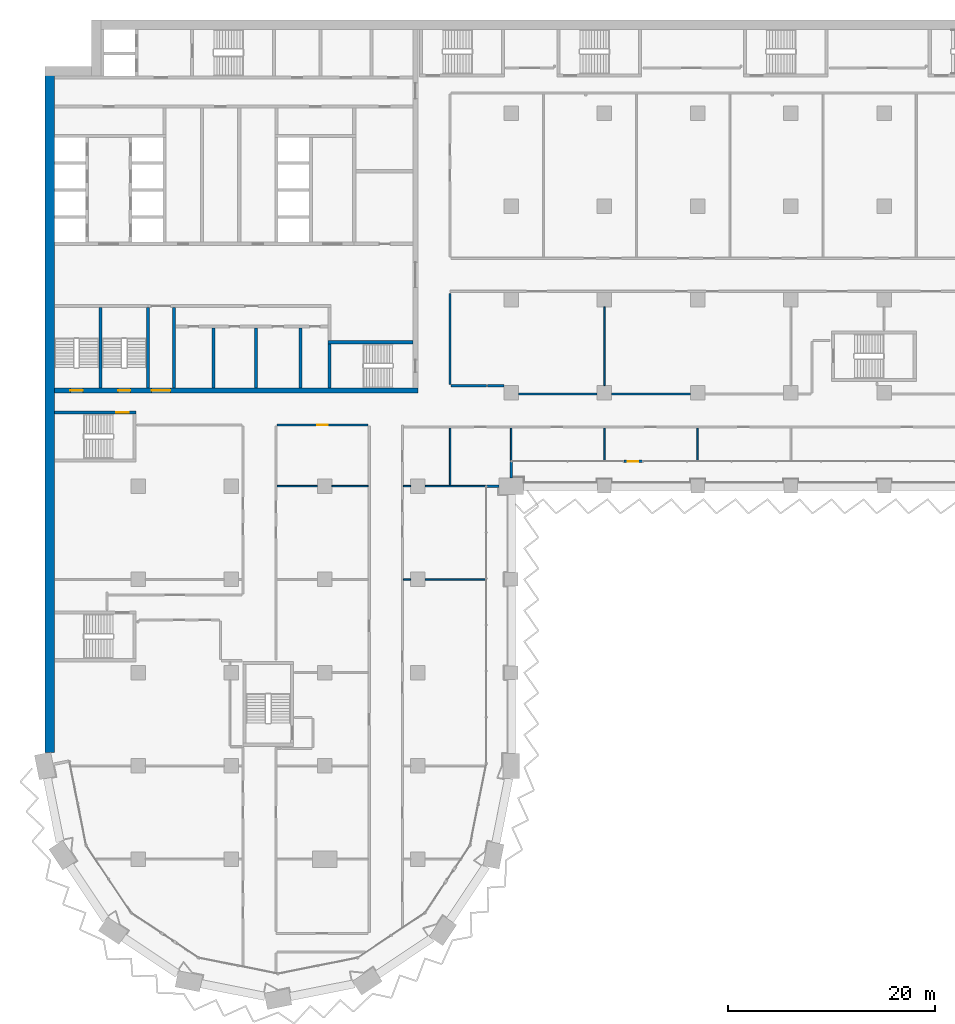
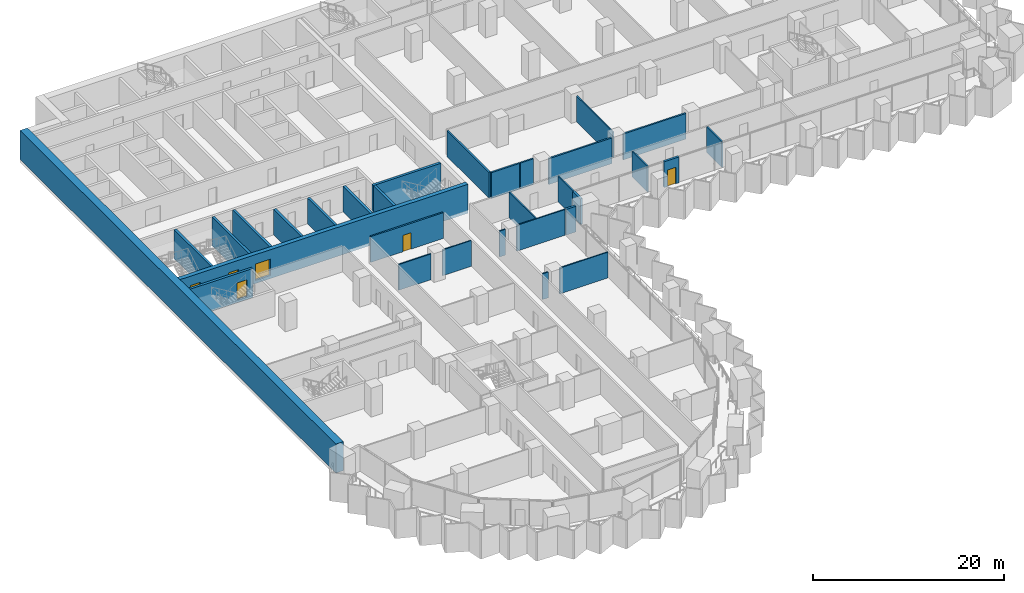
# One storey, part 12 of 29: 31 walls, 6 doors, 6 openings.
"""IFC4 building model written with IfcOpenShell, lengths in metres."""

from ifc_helpers import new_model, si_unit, direction, frame, frame_2d, origin, place, context, subcontext, project, spatial, rectangle, extrude, material, layer, layer_set, type_object, element, fill, save


model = new_model("IFC4")

# Units and contexts
model_context = context("Model", 3, precision=1e-05, world=origin(), true_north=direction((0.0, 1.0)))
body_context = subcontext(model_context, "Body", "Model", "MODEL_VIEW")
ifc_project = project(units=[si_unit("LENGTHUNIT", "METRE"), si_unit("AREAUNIT", "SQUARE_METRE"), si_unit("VOLUMEUNIT", "CUBIC_METRE"), si_unit("PLANEANGLEUNIT", "RADIAN"), si_unit("MASSUNIT", "GRAM", prefix="KILO")], contexts=[model_context])

# Site, building, storey
site_placement = place(None, origin())
site = spatial("IfcSite", under=ifc_project, at=site_placement, CompositionType="ELEMENT")
building_placement = place(site_placement, origin())
building = spatial("IfcBuilding", under=site, at=building_placement, Name="Hunhe Ridgeline Campus", CompositionType="ELEMENT")
storey_placement = place(building_placement, frame((0.0, 0.0, 46.89990234375)))
storey = spatial("IfcBuildingStorey", under=building, at=storey_placement, Name="L10", CompositionType="ELEMENT", Elevation=46.89990234375)

# Walls
ifc_material_1 = material(Name="Masonry concrete blockwork", Category="masonry")
ifc_layer_1 = layer(ifc_material_1, 0.300048828125)
ifc_layer_set_1 = layer_set([ifc_layer_1], Name="Core room partition 300 concrete block")
wall_type_1 = type_object("IfcWallType", Name="Core room partition 300 concrete block", PredefinedType="PARTITIONING", material=ifc_layer_set_1)
wall_1_placement = place(storey_placement, frame((12.449951171875, 63.5, 0.0), z_axis=(0.0, 0.0, 1.0), x_axis=(0.0, 1.0, 0.0)))
element("IfcWall", 1, at=wall_1_placement, inside=storey, type_object=wall_type_1, Name="L10 core partition 45", PredefinedType="PARTITIONING", context=body_context, shape_type="SweptSolid", body=[
    extrude(rectangle(XDim=7.75, YDim=0.300048828125, at=frame_2d((3.875, 0.0))), origin(), (0.0, 0.0, 1.0), 3.300048828125),
])
for number, where, z_axis, x_axis, name in (
    (2, (16.25, 63.5, 0.0), (0.0, 0.0, 1.0), (0.0, 1.0, 0.0), "L10 core partition 48"),
    (3, (20.35009765625, 63.5, 0.0), (0.0, 0.0, 1.0), (0.0, 1.0, 0.0), "L10 core partition 51"),
    (4, (24.64990234375, 63.5, 0.0), (0.0, 0.0, 1.0), (0.0, 1.0, 0.0), "L10 core partition 56"),
):
    element("IfcWall", number, at=place(storey_placement, frame(where, z_axis=z_axis, x_axis=x_axis)), inside=storey, type_object=wall_type_1, Name=name, PredefinedType="PARTITIONING", context=body_context, shape_type="SweptSolid", body=[
        extrude(rectangle(XDim=5.75, YDim=0.300048828125, at=frame_2d((2.875, 0.0))), origin(), (0.0, 0.0, 1.0), 3.300048828125),
    ])

# Wall, openings, doors
ifc_material_2 = material(Name="Concrete C80", Category="concrete")
ifc_layer_2 = layer(ifc_material_2, 0.5)
ifc_layer_set_2 = layer_set([ifc_layer_2], Name="Core wall 500 reinforced concrete C80")
wall_type_2 = type_object("IfcWallType", Name="Core wall 500 reinforced concrete C80", PredefinedType="SOLIDWALL", material=ifc_layer_set_2)
wall_2_placement = place(storey_placement, frame((0.89990234375, 63.25, -0.39990234375), z_axis=(0.0, 0.0, 1.0), x_axis=(1.0, 0.0, 0.0)))
wall_2 = element("IfcWall", 5, at=wall_2_placement, inside=storey, type_object=wall_type_2, Name="L10 core wall 7", PredefinedType="SOLIDWALL", context=body_context, shape_type="SweptSolid", body=[
    extrude(rectangle(XDim=35.10009765625, YDim=0.5, at=frame_2d((17.550048828125, 0.0))), origin(), (0.0, 0.0, 1.0), 3.699951171875),
])
opening_1_placement = place(wall_2_placement, frame((9.39990234375, 0.0, 0.39990234375)))
opening_1 = element("IfcOpeningElement", 6, at=opening_1_placement, cuts=wall_2, Name="Opening CD6", PredefinedType="OPENING", context=body_context, shape_type="SweptSolid", body=[
    extrude(rectangle(XDim=1.800048828125, YDim=2.10009765625, at=frame_2d((0.89990234375, 1.050048828125))), frame((0.0, 0.25, 0.0), z_axis=(0.0, -1.0, 0.0), x_axis=(1.0, 0.0, 0.0)), (0.0, 0.0, 1.0), 0.5),
])
opening_2_placement = place(wall_2_placement, frame((1.550048828125, 0.0, 0.39990234375)))
opening_2 = element("IfcOpeningElement", 7, at=opening_2_placement, cuts=wall_2, Name="Opening CD13", PredefinedType="OPENING", context=body_context, shape_type="SweptSolid", body=[
    extrude(rectangle(XDim=1.199951171875, YDim=2.10009765625, at=frame_2d((0.60009765625, 1.050048828125))), frame((0.0, 0.25, 0.0), z_axis=(0.0, -1.0, 0.0), x_axis=(1.0, 0.0, 0.0)), (0.0, 0.0, 1.0), 0.5),
])
opening_3_placement = place(wall_2_placement, frame((6.14990234375, 0.0, 0.39990234375)))
opening_3 = element("IfcOpeningElement", 8, at=opening_3_placement, cuts=wall_2, Name="Opening CD14", PredefinedType="OPENING", context=body_context, shape_type="SweptSolid", body=[
    extrude(rectangle(XDim=1.199951171875, YDim=2.10009765625, at=frame_2d((0.60009765625, 1.050048828125))), frame((0.0, 0.25, 0.0), z_axis=(0.0, -1.0, 0.0), x_axis=(1.0, 0.0, 0.0)), (0.0, 0.0, 1.0), 0.5),
])
ifc_material_3 = material(Name="Anodised aluminium and glass", Category="aluminium")
door_type_1 = type_object("IfcDoorType", Name="Glazed double door 1800x2100", OperationType="DOUBLE_DOOR_SINGLE_SWING", PredefinedType="DOOR", material=ifc_material_3)
door_1_placement = place(opening_1_placement, frame((1.800048828125, 0.0, 0.0), z_axis=(0.0, 0.0, 1.0), x_axis=(-1.0, 0.0, 0.0)))
door_1 = element("IfcDoor", 9, at=door_1_placement, inside=storey, type_object=door_type_1, Name="L10 door VEST-FLOOR", OperationType="DOUBLE_DOOR_SINGLE_SWING", OverallHeight=2.10009765625, OverallWidth=1.800048828125, PredefinedType="DOOR", context=body_context, shape_type="SweptSolid", body=[
    extrude(rectangle(XDim=1.800048828125, YDim=2.10009765625, at=frame_2d((0.89990234375, 1.050048828125))), frame((0.0, 0.02490234375, 0.0), z_axis=(0.0, -1.0, 0.0), x_axis=(1.0, 0.0, 0.0)), (0.0, 0.0, 1.0), 0.050048828125),
])
fill(opening_1, door_1)
ifc_material_4 = material(Name="Hollow metal fire door leaf")
door_type_2 = type_object("IfcDoorType", Name="Stair door 1200x2100 FD60", OperationType="SINGLE_SWING_LEFT", PredefinedType="DOOR", material=ifc_material_4)
door_2_placement = place(opening_2_placement, frame((1.199951171875, 0.0, 0.0), z_axis=(0.0, 0.0, 1.0), x_axis=(-1.0, 0.0, 0.0)))
door_2 = element("IfcDoor", 10, at=door_2_placement, inside=storey, type_object=door_type_2, Name="L10 door S3", OperationType="SINGLE_SWING_RIGHT", OverallHeight=2.10009765625, OverallWidth=1.199951171875, PredefinedType="DOOR", context=body_context, shape_type="SweptSolid", body=[
    extrude(rectangle(XDim=1.199951171875, YDim=2.10009765625, at=frame_2d((0.60009765625, 1.050048828125))), frame((0.0, 0.02490234375, 0.0), z_axis=(0.0, -1.0, 0.0), x_axis=(1.0, 0.0, 0.0)), (0.0, 0.0, 1.0), 0.050048828125),
])
fill(opening_2, door_2)
door_3_placement = place(opening_3_placement, frame((1.199951171875, 0.0, 0.0), z_axis=(0.0, 0.0, 1.0), x_axis=(-1.0, 0.0, 0.0)))
door_3 = element("IfcDoor", 11, at=door_3_placement, inside=storey, type_object=door_type_2, Name="L10 door S4", OperationType="SINGLE_SWING_LEFT", OverallHeight=2.10009765625, OverallWidth=1.199951171875, PredefinedType="DOOR", context=body_context, shape_type="SweptSolid", body=[
    extrude(rectangle(XDim=1.199951171875, YDim=2.10009765625, at=frame_2d((0.60009765625, 1.050048828125))), frame((0.0, 0.02490234375, 0.0), z_axis=(0.0, -1.0, 0.0), x_axis=(1.0, 0.0, 0.0)), (0.0, 0.0, 1.0), 0.050048828125),
])
fill(opening_3, door_3)

# Walls
ifc_material_5 = material(Name="Concrete C30", Category="concrete")
ifc_layer_3 = layer(ifc_material_5, 0.25)
ifc_layer_set_3 = layer_set([ifc_layer_3], Name="Corner return wall 250 Concrete C30")
wall_type_3 = type_object("IfcWallType", Name="Corner return wall 250 Concrete C30", PredefinedType="SOLIDWALL", material=ifc_layer_set_3)
wall_3_placement = place(storey_placement, frame((42.59912109375, 54.0, 0.0), z_axis=(0.0, 0.0, 1.0), x_axis=(0.999999917344, 0.000406586671, 0.0)))
element("IfcWall", 12, at=wall_3_placement, inside=storey, type_object=wall_type_3, Name="Corner return wall 2", PredefinedType="SOLIDWALL", context=body_context, shape_type="SweptSolid", body=[
    extrude(rectangle(XDim=1.200927734375, YDim=0.25, at=frame_2d((0.6005859375, 0.0))), origin(), (0.0, 0.0, 1.0), 3.300048828125),
])
wall_4_placement = place(storey_placement, frame((44.999267578125, 54.800048828125, 0.0), z_axis=(0.0, 0.0, 1.0), x_axis=(0.000152508767, 0.999999988371, 0.0)))
element("IfcWall", 13, at=wall_4_placement, inside=storey, type_object=wall_type_3, Name="Corner return wall 3", PredefinedType="SOLIDWALL", context=body_context, shape_type="SweptSolid", body=[
    extrude(rectangle(XDim=1.600830078125, YDim=0.25, at=frame_2d((0.80029296875, 0.0))), origin(), (0.0, 0.0, 1.0), 3.300048828125),
])

# Wall, opening, door
ifc_material_6 = material(Name="Gypsum board partition")
ifc_layer_4 = layer(ifc_material_6, 0.199951171875)
ifc_layer_set_4 = layer_set([ifc_layer_4], Name="Corridor partition 200 gypsum board on steel studs")
wall_type_4 = type_object("IfcWallType", Name="Corridor partition 200 gypsum board on steel studs", PredefinedType="PARTITIONING", material=ifc_layer_set_4)
wall_5_placement = place(storey_placement, frame((31.199951171875, 59.89990234375, 0.0), z_axis=(0.0, 0.0, 1.0), x_axis=(-1.0, 0.0, 0.0)))
wall_5 = element("IfcWall", 14, at=wall_5_placement, inside=storey, type_object=wall_type_4, Name="F-L10-wall-039", PredefinedType="PARTITIONING", context=body_context, shape_type="SweptSolid", body=[
    extrude(rectangle(XDim=8.800048828125, YDim=0.199951171875, at=frame_2d((4.39990234375, 0.0))), origin(), (0.0, 0.0, 1.0), 3.300048828125),
])
opening_4_placement = place(wall_5_placement, frame((3.89990234375, 0.0, 0.0)))
opening_4 = element("IfcOpeningElement", 15, at=opening_4_placement, cuts=wall_5, Name="Opening RD1-028", PredefinedType="OPENING", context=body_context, shape_type="SweptSolid", body=[
    extrude(rectangle(XDim=1.0, YDim=2.10009765625, at=frame_2d((0.5, 1.050048828125))), frame((0.0, 0.10009765625, 0.0), z_axis=(0.0, -1.0, 0.0), x_axis=(1.0, 0.0, 0.0)), (0.0, 0.0, 1.0), 0.199951171875),
])
ifc_material_7 = material(Name="Timber door leaf", Category="wood")
door_type_3 = type_object("IfcDoorType", Name="Single fire door 1000x2100 timber FD60", OperationType="NOTDEFINED", PredefinedType="DOOR", material=ifc_material_7)
door_4_placement = place(opening_4_placement, origin())
door_4 = element("IfcDoor", 16, at=door_4_placement, inside=storey, type_object=door_type_3, Name="F-L10-door-028", OperationType="SINGLE_SWING_LEFT", OverallHeight=2.10009765625, OverallWidth=1.0, PredefinedType="DOOR", context=body_context, shape_type="SweptSolid", body=[
    extrude(rectangle(XDim=1.0, YDim=2.10009765625, at=frame_2d((0.5, 1.050048828125))), frame((0.0, 0.02490234375, 0.0), z_axis=(0.0, -1.0, 0.0), x_axis=(1.0, 0.0, 0.0)), (0.0, 0.0, 1.0), 0.050048828125),
])
fill(opening_4, door_4)

# Walls
for number, where, z_axis, x_axis, name in (
    (17, (45.699951171875, 62.89990234375, 0.0), (0.0, 0.0, 1.0), (1.0, 0.0, 0.0), "F-L10-wall-040"),
    (18, (54.699951171875, 62.89990234375, 0.0), (0.0, 0.0, 1.0), (1.0, 0.0, 0.0), "F-L10-wall-041"),
):
    element("IfcWall", number, at=place(storey_placement, frame(where, z_axis=z_axis, x_axis=x_axis)), inside=storey, type_object=wall_type_4, Name=name, PredefinedType="PARTITIONING", context=body_context, shape_type="SweptSolid", body=[
        extrude(rectangle(XDim=7.60009765625, YDim=0.199951171875, at=frame_2d((3.800048828125, 0.0))), origin(), (0.0, 0.0, 1.0), 3.300048828125),
    ])
wall_6_placement = place(storey_placement, frame((39.199951171875, 63.699951171875, 0.0), z_axis=(0.0, 0.0, 1.0), x_axis=(1.0, 0.0, 0.0)))
element("IfcWall", 19, at=wall_6_placement, inside=storey, type_object=wall_type_4, Name="F-L10-wall-046", PredefinedType="PARTITIONING", context=body_context, shape_type="SweptSolid", body=[
    extrude(rectangle(XDim=3.400146484375, YDim=0.199951171875, at=frame_2d((1.7001953125, 0.0))), origin(), (0.0, 0.0, 1.0), 3.300048828125),
])
wall_7_placement = place(storey_placement, frame((42.699951171875, 63.699951171875, 0.0), z_axis=(0.0, 0.0, 1.0), x_axis=(1.0, 0.0, 0.0)))
element("IfcWall", 20, at=wall_7_placement, inside=storey, type_object=wall_type_4, Name="F-L10-wall-047", PredefinedType="PARTITIONING", context=body_context, shape_type="SweptSolid", body=[
    extrude(rectangle(XDim=1.60009765625, YDim=0.199951171875, at=frame_2d((0.800048828125, 0.0))), origin(), (0.0, 0.0, 1.0), 3.300048828125),
])
wall_8_placement = place(storey_placement, frame((39.10009765625, 72.60888671875, 0.0), z_axis=(0.0, 0.0, 1.0), x_axis=(0.0, -1.0, 0.0)))
element("IfcWall", 21, at=wall_8_placement, inside=storey, type_object=wall_type_4, Name="F-L10-wall-069", PredefinedType="PARTITIONING", context=body_context, shape_type="SweptSolid", body=[
    extrude(rectangle(XDim=8.808837890625, YDim=0.199951171875, at=frame_2d((4.404296875, 0.0))), origin(), (0.0, 0.0, 1.0), 3.300048828125),
])

# Wall, opening, door
ifc_layer_5 = layer(ifc_material_5, 0.25)
ifc_layer_set_5 = layer_set([ifc_layer_5], Name="Loggia door pier wall 250 Concrete C30")
wall_type_5 = type_object("IfcWallType", Name="Loggia door pier wall 250 Concrete C30", PredefinedType="SOLIDWALL", material=ifc_layer_set_5)
wall_9_placement = place(storey_placement, frame((55.874267578125, 56.40087890625, 0.0), z_axis=(0.0, 0.0, 1.0), x_axis=(1.0, 0.0, 0.0)))
wall_9 = element("IfcWall", 22, at=wall_9_placement, inside=storey, type_object=wall_type_5, Name="Loggia door pier 3", PredefinedType="SOLIDWALL", context=body_context, shape_type="SweptSolid", body=[
    extrude(rectangle(XDim=1.800048828125, YDim=0.25, at=frame_2d((0.89990234375, 0.0))), origin(), (0.0, 0.0, 1.0), 3.300048828125),
])
opening_5_placement = place(wall_9_placement, frame((0.39990234375, 0.0, 0.0)))
opening_5 = element("IfcOpeningElement", 23, at=opening_5_placement, cuts=wall_9, Name="Opening BD106", PredefinedType="OPENING", context=body_context, shape_type="SweptSolid", body=[
    extrude(rectangle(XDim=1.0, YDim=2.10009765625, at=frame_2d((0.5, 1.050048828125))), frame((0.0, 0.125, 0.0), z_axis=(0.0, -1.0, 0.0), x_axis=(1.0, 0.0, 0.0)), (0.0, 0.0, 1.0), 0.25),
])
ifc_material_8 = material(Name="Aluminium 6063", Category="aluminium")
door_type_4 = type_object("IfcDoorType", Name="Loggia glazed door 1000x2100", OperationType="NOTDEFINED", PredefinedType="DOOR", material=ifc_material_8)
door_5_placement = place(opening_5_placement, frame((1.0, 0.0, 0.0), z_axis=(0.0, 0.0, 1.0), x_axis=(-1.0, 0.0, 0.0)))
door_5 = element("IfcDoor", 24, at=door_5_placement, inside=storey, type_object=door_type_4, Name="Loggia door BD106", OperationType="SINGLE_SWING_LEFT", OverallHeight=2.10009765625, OverallWidth=1.0, PredefinedType="DOOR", context=body_context, shape_type="SweptSolid", body=[
    extrude(rectangle(XDim=1.0, YDim=2.10009765625, at=frame_2d((0.5, 1.050048828125))), frame((0.0, 0.02490234375, 0.0), z_axis=(0.0, -1.0, 0.0), x_axis=(1.0, 0.0, 0.0)), (0.0, 0.0, 1.0), 0.050048828125),
])
fill(opening_5, door_5)

# Walls
ifc_layer_6 = layer(ifc_material_6, 0.14990234375)
ifc_layer_set_6 = layer_set([ifc_layer_6], Name="Room partition 150 gypsum board on steel studs")
wall_type_6 = type_object("IfcWallType", Name="Room partition 150 gypsum board on steel studs", PredefinedType="PARTITIONING", material=ifc_layer_set_6)
wall_10_placement = place(storey_placement, frame((34.60009765625, 45.0, 0.0), z_axis=(0.0, 0.0, 1.0), x_axis=(1.0, 0.0, 0.0)))
element("IfcWall", 25, at=wall_10_placement, inside=storey, type_object=wall_type_6, Name="F-L10-wall-031", PredefinedType="PARTITIONING", context=body_context, shape_type="SweptSolid", body=[
    extrude(rectangle(XDim=0.699951171875, YDim=0.14990234375, at=frame_2d((0.35009765625, 0.0))), origin(), (0.0, 0.0, 1.0), 3.300048828125),
])
wall_11_placement = place(storey_placement, frame((36.699951171875, 45.0, 0.0), z_axis=(0.0, 0.0, 1.0), x_axis=(1.0, 0.0, 0.0)))
element("IfcWall", 26, at=wall_11_placement, inside=storey, type_object=wall_type_6, Name="F-L10-wall-032", PredefinedType="PARTITIONING", context=body_context, shape_type="SweptSolid", body=[
    extrude(rectangle(XDim=5.844970703125, YDim=0.14990234375, at=frame_2d((2.92236328125, 0.0))), origin(), (0.0, 0.0, 1.0), 3.300048828125),
])
wall_12_placement = place(storey_placement, frame((22.39990234375, 54.0, 0.0), z_axis=(0.0, 0.0, 1.0), x_axis=(1.0, 0.0, 0.0)))
element("IfcWall", 27, at=wall_12_placement, inside=storey, type_object=wall_type_6, Name="F-L10-wall-033", PredefinedType="PARTITIONING", context=body_context, shape_type="SweptSolid", body=[
    extrude(rectangle(XDim=3.900146484375, YDim=0.14990234375, at=frame_2d((1.9501953125, 0.0))), origin(), (0.0, 0.0, 1.0), 3.300048828125),
])
wall_13_placement = place(storey_placement, frame((27.699951171875, 54.0, 0.0), z_axis=(0.0, 0.0, 1.0), x_axis=(1.0, 0.0, 0.0)))
element("IfcWall", 28, at=wall_13_placement, inside=storey, type_object=wall_type_6, Name="F-L10-wall-034", PredefinedType="PARTITIONING", context=body_context, shape_type="SweptSolid", body=[
    extrude(rectangle(XDim=3.5, YDim=0.14990234375, at=frame_2d((1.75, 0.0))), origin(), (0.0, 0.0, 1.0), 3.300048828125),
])
wall_14_placement = place(storey_placement, frame((34.60009765625, 54.0, 0.0), z_axis=(0.0, 0.0, 1.0), x_axis=(1.0, 0.0, 0.0)))
element("IfcWall", 29, at=wall_14_placement, inside=storey, type_object=wall_type_6, Name="F-L10-wall-035", PredefinedType="PARTITIONING", context=body_context, shape_type="SweptSolid", body=[
    extrude(rectangle(XDim=0.699951171875, YDim=0.14990234375, at=frame_2d((0.35009765625, 0.0))), origin(), (0.0, 0.0, 1.0), 3.300048828125),
])
wall_15_placement = place(storey_placement, frame((36.699951171875, 54.0, 0.0), z_axis=(0.0, 0.0, 1.0), x_axis=(1.0, 0.0, 0.0)))
element("IfcWall", 30, at=wall_15_placement, inside=storey, type_object=wall_type_6, Name="F-L10-wall-036", PredefinedType="PARTITIONING", context=body_context, shape_type="SweptSolid", body=[
    extrude(rectangle(XDim=5.844970703125, YDim=0.14990234375, at=frame_2d((2.92236328125, 0.0))), origin(), (0.0, 0.0, 1.0), 3.300048828125),
])
wall_16_placement = place(storey_placement, frame((39.10009765625, 59.60009765625, 0.0), z_axis=(0.0, 0.0, 1.0), x_axis=(0.0, -1.0, 0.0)))
element("IfcWall", 31, at=wall_16_placement, inside=storey, type_object=wall_type_6, Name="F-L10-wall-068", PredefinedType="PARTITIONING", context=body_context, shape_type="SweptSolid", body=[
    extrude(rectangle(XDim=5.525146484375, YDim=0.14990234375, at=frame_2d((2.7626953125, 0.0))), origin(), (0.0, 0.0, 1.0), 3.300048828125),
])
for number, where, z_axis, x_axis, name in (
    (32, (45.0, 59.60009765625, 0.0), (0.0, 0.0, 1.0), (0.0, -1.0, 0.0), "F-L10-wall-071"),
    (33, (54.0, 59.60009765625, 0.0), (0.0, 0.0, 1.0), (0.0, -1.0, 0.0), "F-L10-wall-075"),
):
    element("IfcWall", number, at=place(storey_placement, frame(where, z_axis=z_axis, x_axis=x_axis)), inside=storey, type_object=wall_type_6, Name=name, PredefinedType="PARTITIONING", context=body_context, shape_type="SweptSolid", body=[
        extrude(rectangle(XDim=3.145263671875, YDim=0.14990234375, at=frame_2d((1.57275390625, 0.0))), origin(), (0.0, 0.0, 1.0), 3.300048828125),
    ])
wall_17_placement = place(storey_placement, frame((54.0, 71.300048828125, 0.0), z_axis=(0.0, 0.0, 1.0), x_axis=(0.0, -1.0, 0.0)))
element("IfcWall", 34, at=wall_17_placement, inside=storey, type_object=wall_type_6, Name="F-L10-wall-076", PredefinedType="PARTITIONING", context=body_context, shape_type="SweptSolid", body=[
    extrude(rectangle(XDim=7.60009765625, YDim=0.14990234375, at=frame_2d((3.800048828125, 0.0))), origin(), (0.0, 0.0, 1.0), 3.300048828125),
])
wall_18_placement = place(storey_placement, frame((63.0, 59.60009765625, 0.0), z_axis=(0.0, 0.0, 1.0), x_axis=(0.0, -1.0, 0.0)))
element("IfcWall", 35, at=wall_18_placement, inside=storey, type_object=wall_type_6, Name="F-L10-wall-078", PredefinedType="PARTITIONING", context=body_context, shape_type="SweptSolid", body=[
    extrude(rectangle(XDim=3.145263671875, YDim=0.14990234375, at=frame_2d((1.57275390625, 0.0))), origin(), (0.0, 0.0, 1.0), 3.300048828125),
])
ifc_layer_7 = layer(ifc_material_2, 0.89990234375)
ifc_layer_set_7 = layer_set([ifc_layer_7], Name="Spine wall 900 Concrete C80")
wall_type_7 = type_object("IfcWallType", Name="Spine wall 900 Concrete C80", PredefinedType="SHEAR", material=ifc_layer_set_7)
wall_19_placement = place(storey_placement, frame((0.449951171875, 94.5, 0.0), z_axis=(0.0, 0.0, 1.0), x_axis=(0.0, -1.0, 0.0)))
element("IfcWall", 36, at=wall_19_placement, inside=storey, type_object=wall_type_7, Name="Spine wall SW1-1 L10", PredefinedType="SHEAR", context=body_context, shape_type="SweptSolid", body=[
    extrude(rectangle(XDim=66.18701171875, YDim=0.89990234375, at=frame_2d((33.093505859375, 0.0))), origin(), (0.0, 0.0, 1.0), 3.7001953125),
])

# Wall, opening, door
ifc_layer_8 = layer(ifc_material_2, 0.300048828125)
ifc_layer_set_8 = layer_set([ifc_layer_8], Name="Stair wall 300 reinforced concrete C80")
wall_type_8 = type_object("IfcWallType", Name="Stair wall 300 reinforced concrete C80", PredefinedType="SOLIDWALL", material=ifc_layer_set_8)
wall_20_placement = place(storey_placement, frame((0.89990234375, 61.10009765625, -0.39990234375), z_axis=(0.0, 0.0, 1.0), x_axis=(1.0, 0.0, 0.0)))
wall_20 = element("IfcWall", 37, at=wall_20_placement, inside=storey, type_object=wall_type_8, Name="L10 core wall 6", PredefinedType="SOLIDWALL", context=body_context, shape_type="SweptSolid", body=[
    extrude(rectangle(XDim=7.900146484375, YDim=0.300048828125, at=frame_2d((3.9501953125, 0.0))), origin(), (0.0, 0.0, 1.0), 3.699951171875),
])
opening_6_placement = place(wall_20_placement, frame((6.0, 0.0, 0.39990234375)))
opening_6 = element("IfcOpeningElement", 38, at=opening_6_placement, cuts=wall_20, Name="Opening CD22", PredefinedType="OPENING", context=body_context, shape_type="SweptSolid", body=[
    extrude(rectangle(XDim=1.199951171875, YDim=2.10009765625, at=frame_2d((0.60009765625, 1.050048828125))), frame((0.0, 0.14990234375, 0.0), z_axis=(0.0, -1.0, 0.0), x_axis=(1.0, 0.0, 0.0)), (0.0, 0.0, 1.0), 0.300048828125),
])
door_6_placement = place(opening_6_placement, origin())
door_6 = element("IfcDoor", 39, at=door_6_placement, inside=storey, type_object=door_type_2, Name="L10 door W2", OperationType="SINGLE_SWING_RIGHT", OverallHeight=2.10009765625, OverallWidth=1.199951171875, PredefinedType="DOOR", context=body_context, shape_type="SweptSolid", body=[
    extrude(rectangle(XDim=1.199951171875, YDim=2.10009765625, at=frame_2d((0.60009765625, 1.050048828125))), frame((0.0, 0.02490234375, 0.0), z_axis=(0.0, -1.0, 0.0), x_axis=(1.0, 0.0, 0.0)), (0.0, 0.0, 1.0), 0.050048828125),
])
fill(opening_6, door_6)

# Walls
wall_21_placement = place(storey_placement, frame((27.300048828125, 67.89990234375, -0.39990234375), z_axis=(0.0, 0.0, 1.0), x_axis=(1.0, 0.0, 0.0)))
element("IfcWall", 40, at=wall_21_placement, inside=storey, type_object=wall_type_8, Name="L10 core wall 9", PredefinedType="SOLIDWALL", context=body_context, shape_type="SweptSolid", body=[
    extrude(rectangle(XDim=8.199951171875, YDim=0.300048828125, at=frame_2d((4.10009765625, 0.0))), origin(), (0.0, 0.0, 1.0), 3.699951171875),
])
for number, where, z_axis, x_axis, name in (
    (41, (5.35009765625, 63.5, -0.39990234375), (0.0, 0.0, 1.0), (0.0, 1.0, 0.0), "L10 core wall 36"),
    (42, (9.949951171875, 63.5, -0.39990234375), (0.0, 0.0, 1.0), (0.0, 1.0, 0.0), "L10 core wall 42"),
):
    element("IfcWall", number, at=place(storey_placement, frame(where, z_axis=z_axis, x_axis=x_axis)), inside=storey, type_object=wall_type_8, Name=name, PredefinedType="SOLIDWALL", context=body_context, shape_type="SweptSolid", body=[
        extrude(rectangle(XDim=7.75, YDim=0.300048828125, at=frame_2d((3.875, 0.0))), origin(), (0.0, 0.0, 1.0), 3.699951171875),
    ])
wall_22_placement = place(storey_placement, frame((27.449951171875, 63.5, -0.39990234375), z_axis=(0.0, 0.0, 1.0), x_axis=(0.0, 1.0, 0.0)))
element("IfcWall", 43, at=wall_22_placement, inside=storey, type_object=wall_type_8, Name="L10 core wall 59", PredefinedType="SOLIDWALL", context=body_context, shape_type="SweptSolid", body=[
    extrude(rectangle(XDim=4.25, YDim=0.300048828125, at=frame_2d((2.125, 0.0))), origin(), (0.0, 0.0, 1.0), 3.699951171875),
])

save(model, "model.ifc")
